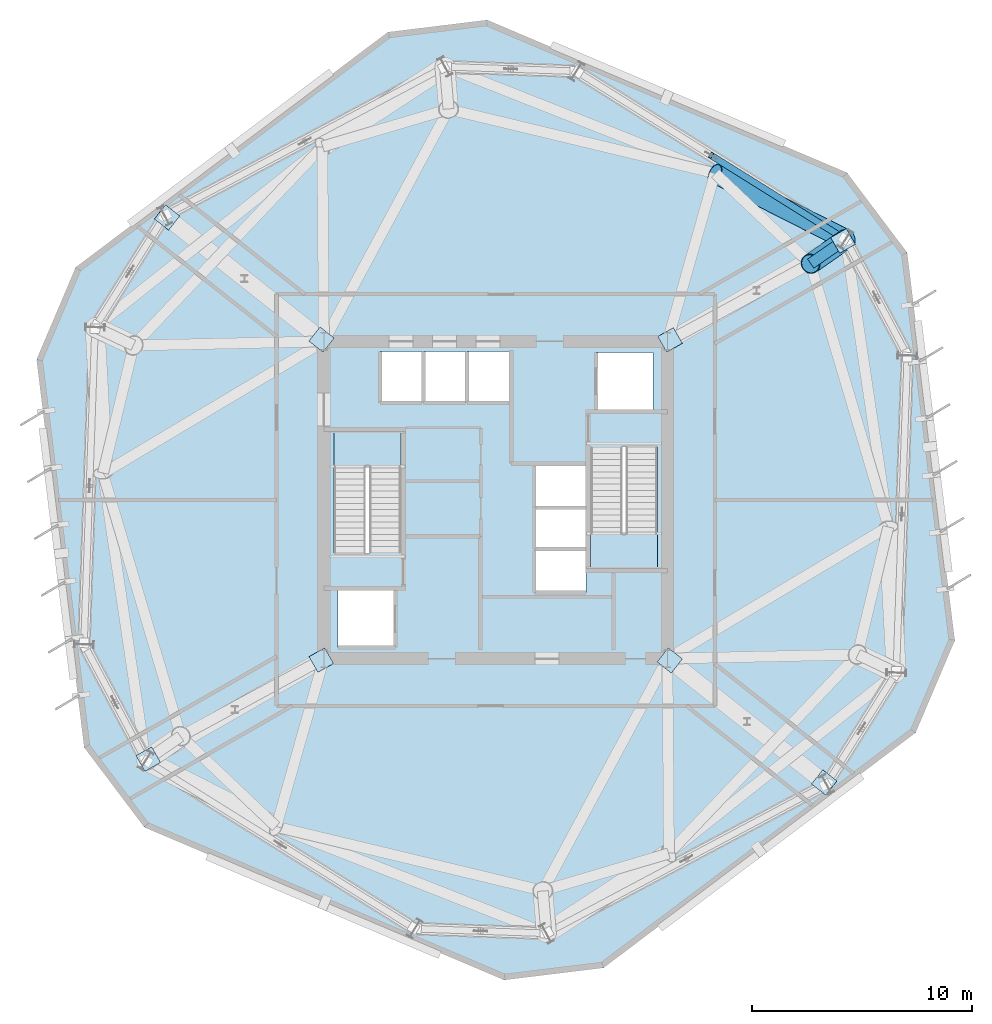
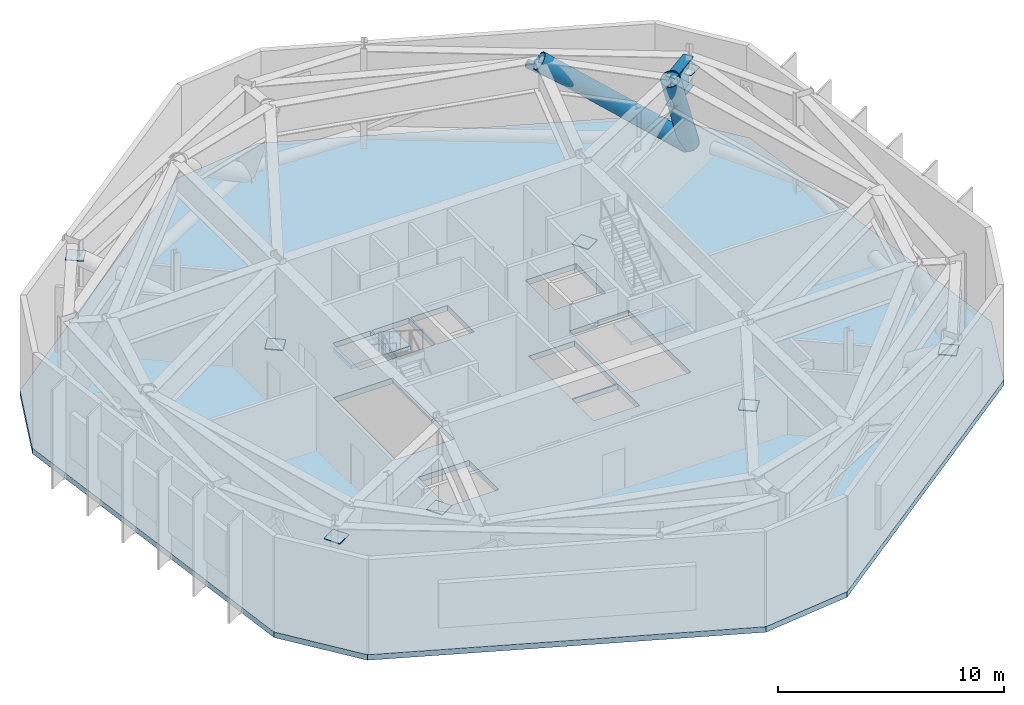
# One storey, part 3 of 11: 8 plates, 3 members, 3 slabs, 1 beam, 2 elements without a shape of their own.
"""IFC4 building model written with IfcOpenShell, lengths in metres."""

from ifc_helpers import new_model, si_unit, direction, frame, origin, origin_2d, place, context, subcontext, project, spatial, polyline, rectangle, hollow_rectangle, hollow_circle, i_section, outline, extrude, material, layer, layer_set, material_profile, profile_set, type_object, element, aggregate, save


model = new_model("IFC4")

# Units and contexts
model_context = context("Model", 3, precision=1e-05, world=origin(), true_north=direction((0.0, 1.0)))
body_context = subcontext(model_context, "Body", "Model", "MODEL_VIEW")
ifc_project = project(units=[si_unit("LENGTHUNIT", "METRE"), si_unit("AREAUNIT", "SQUARE_METRE"), si_unit("VOLUMEUNIT", "CUBIC_METRE"), si_unit("PLANEANGLEUNIT", "RADIAN"), si_unit("MASSUNIT", "GRAM", prefix="KILO")], contexts=[model_context])

# Site, building, storey
site_placement = place(None, origin())
site = spatial("IfcSite", under=ifc_project, at=site_placement, CompositionType="ELEMENT")
building_placement = place(site_placement, origin())
building = spatial("IfcBuilding", under=site, at=building_placement, Name="Kranzbogen Civic Tower", CompositionType="ELEMENT")
storey_placement = place(building_placement, frame((0.0, 0.0, 170.39990234375)))
storey = spatial("IfcBuildingStorey", under=building, at=storey_placement, Name="L41", CompositionType="ELEMENT", Elevation=170.39990234375)

# Members
ifc_material_1 = material(Name="Steel S460", Category="steel")
ifc_material_profile_1 = material_profile(ifc_material_1, hollow_circle(Radius=0.45703125, WallThickness=0.035888671875, at=origin_2d()), Name="CHS 914x36")
ifc_profile_set_1 = profile_set([ifc_material_profile_1], Name="Steel S460")
member_type_1 = type_object("IfcMemberType", Name="Portal Arch Thrust Strut CHS 914x36", PredefinedType="STRUT", material=ifc_profile_set_1)
member_1_placement = place(storey_placement, frame((40.885986328125, 36.8291015625, 0.35009765625), z_axis=(-0.31390354628, -0.217736007734, 0.924151283378), x_axis=(0.569949700686, -0.821679583954, 0.0)))
element("IfcMember", 1, at=member_1_placement, inside=storey, type_object=member_type_1, Name="STR-1: L41 inclined perimeter transfer strut 07", PredefinedType="STRUT", context=body_context, shape_type="SweptSolid", body=[
    extrude(hollow_circle(Radius=0.45703125, WallThickness=0.035888671875, at=origin_2d()), origin(), (0.0, 0.0, 1.0), 5.074951171875),
])
member_2_placement = place(storey_placement, frame((40.885986328125, 36.8291015625, 0.35009765625), z_axis=(-0.728567626996, 0.369612453071, 0.576693894045), x_axis=(-0.452424000668, -0.89180296233, 0.0)))
element("IfcMember", 2, at=member_2_placement, inside=storey, type_object=member_type_1, Name="STR-1: L41 inclined perimeter transfer strut 08", PredefinedType="STRUT", context=body_context, shape_type="SweptSolid", body=[
    extrude(hollow_circle(Radius=0.45703125, WallThickness=0.035888671875, at=origin_2d()), origin(), (0.0, 0.0, 1.0), 8.132568359375),
])

# Beam
ifc_material_profile_2 = material_profile(ifc_material_1, i_section(OverallWidth=0.5, OverallDepth=1.60009765625, WebThickness=0.02587890625, FlangeThickness=0.0400390625, at=origin_2d()), Name="WPG 1600x500x26x40")
ifc_profile_set_2 = profile_set([ifc_material_profile_2], Name="Steel S460")
beam_type = type_object("IfcBeamType", Name="Welded Transfer Girder WPG 1600x500x26x40", PredefinedType="BEAM", material=ifc_profile_set_2)
beam_placement = place(storey_placement, frame((40.844970703125, 36.801025390625, 4.330078125), z_axis=(-0.821708874611, -0.569907470898, 0.0), x_axis=(0.569907470898, -0.821708874611, 0.0)))
element("IfcBeam", 3, at=beam_placement, inside=storey, type_object=beam_type, Name="TG-1600: L41 perimeter column transfer girder 07", PredefinedType="BEAM", context=body_context, shape_type="SweptSolid", body=[
    extrude(i_section(OverallWidth=0.5, OverallDepth=1.60009765625, WebThickness=0.02587890625, FlangeThickness=0.0400390625, at=origin_2d()), origin(), (0.0, 0.0, 1.0), 1.874267578125),
])

# Member
ifc_material_2 = material(Name="Steel S355", Category="steel")
ifc_material_profile_3 = material_profile(ifc_material_2, hollow_rectangle(XDim=0.300048828125, YDim=0.300048828125, WallThickness=0.01611328125, at=origin_2d()), Name="SHS 300x300x16")
ifc_profile_set_3 = profile_set([ifc_material_profile_3], Name="Steel S355")
member_type_2 = type_object("IfcMemberType", Name="Zone 2 Belt Truss Diagonal SHS 300x300x16", PredefinedType="BRACE", material=ifc_profile_set_3)
member_3_placement = place(storey_placement, frame((40.818115234375, 36.87109375, 0.650146484375), z_axis=(-0.746455846987, 0.466565071512, 0.47446886362), x_axis=(-0.53002358355, -0.84798290129, 0.0)))
element("IfcMember", 4, at=member_3_placement, inside=storey, type_object=member_type_2, Name="DG-300: L41 belt truss diagonal 08A", PredefinedType="BRACE", context=body_context, shape_type="SweptSolid", body=[
    extrude(hollow_rectangle(XDim=0.300048828125, YDim=0.300048828125, WallThickness=0.01611328125, at=origin_2d()), origin(), (0.0, 0.0, 1.0), 8.093017578125),
])

# Slab
ifc_material_3 = material(Name="Concrete C40/50", Category="concrete")
ifc_layer_1 = layer(ifc_material_3, 0.300048828125, Name="Concrete C40/50")
ifc_layer_set_1 = layer_set([ifc_layer_1], Name="Concrete C40/50")
slab_type_1 = type_object("IfcSlabType", Name="Composite Transfer and Plant Floor Slab 300 mm", PredefinedType="FLOOR", material=ifc_layer_set_1)
slab_1_placement = place(storey_placement, frame((0.0, 0.0, -0.2998046875)))
element("IfcSlab", 5, at=slab_1_placement, inside=storey, type_object=slab_type_1, Name="L41 tower floor slab", PredefinedType="FLOOR", context=body_context, shape_type="SweptSolid", body=[
    extrude(outline(polyline([(40.9599609375, 39.843994140625), (24.591064453125, 46.7919921875), (20.125, 46.243896484375), (5.923095703125, 35.5419921875), (4.1650390625, 31.39990234375), (6.33203125, 13.75), (9.0400390625, 10.156005859375), (25.408935546875, 3.2080078125), (29.875, 3.756103515625), (44.076904296875, 14.4580078125), (45.8349609375, 18.60009765625), (43.66796875, 36.25), (40.9599609375, 39.843994140625)]), holes=[polyline([(20.449951171875, 20.89990234375), (20.449951171875, 18.300048828125), (17.85009765625, 18.300048828125), (17.85009765625, 20.89990234375), (20.449951171875, 20.89990234375)]), polyline([(29.10009765625, 22.699951171875), (29.10009765625, 20.800048828125), (26.75, 20.800048828125), (26.75, 22.699951171875), (29.10009765625, 22.699951171875)]), polyline([(29.10009765625, 24.64990234375), (29.10009765625, 22.77490234375), (26.75, 22.77490234375), (26.75, 24.64990234375), (26.75, 24.675048828125), (26.75, 26.550048828125), (29.10009765625, 26.550048828125), (29.10009765625, 24.675048828125), (29.10009765625, 24.64990234375)]), polyline([(30.75, 27.340087890625), (30.75, 27.39990234375), (32.35009765625, 27.39990234375), (32.35009765625, 21.89990234375), (29.300048828125, 21.89990234375), (29.300048828125, 27.340087890625), (30.75, 27.340087890625)]), polyline([(19.25, 22.659912109375), (19.25, 22.60009765625), (17.64990234375, 22.60009765625), (17.64990234375, 28.10009765625), (20.699951171875, 28.10009765625), (20.699951171875, 22.659912109375), (19.25, 22.659912109375)]), polyline([(32.14990234375, 31.699951171875), (32.14990234375, 29.10009765625), (29.550048828125, 29.10009765625), (29.550048828125, 31.699951171875), (32.14990234375, 31.699951171875)]), polyline([(21.64990234375, 31.75), (21.64990234375, 29.39990234375), (19.75, 29.39990234375), (19.75, 31.75), (21.64990234375, 31.75)]), polyline([(23.625, 29.39990234375), (21.72509765625, 29.39990234375), (21.72509765625, 31.75), (23.625, 31.75), (23.625, 29.39990234375)]), polyline([(25.60009765625, 29.39990234375), (23.699951171875, 29.39990234375), (23.699951171875, 31.75), (25.60009765625, 31.75), (25.60009765625, 29.39990234375)])]), origin(), (0.0, 0.0, 1.0), 0.2998046875),
])

# Plates
ifc_layer_2 = layer(ifc_material_1, 0.034912109375, Name="Steel S460")
ifc_layer_set_2 = layer_set([ifc_layer_2], Name="Steel S460")
plate_type = type_object("IfcPlateType", Name="Portal Arch Sealed End Cap Plate 1120x1120x35", PredefinedType="SHEET", material=ifc_layer_set_2)
for number, where, z_axis, x_axis, name in (
    (6, (17.083984375, 17.73291015625, 0.52587890625), (0.0, 0.0, 1.0), (-0.867912870313, -0.496716467963, 0.0), "OUT-1: L41 radial outrigger strut 1 end cap 1"),
    (7, (9.22998046875, 13.238037109375, 4.4296875), (0.0, 0.0, 1.0), (-0.867912870313, -0.496716467963, 0.0), "OUT-1: L41 radial outrigger strut 1 end cap 2"),
    (8, (32.905029296875, 17.717041015625, 0.52587890625), (0.0, 0.0, 1.0), (0.784559979031, -0.620052932662, 0.0), "OUT-1: L41 radial outrigger strut 2 end cap 1"),
    (9, (39.91796875, 12.175048828125, 4.4296875), (0.0, 0.0, 1.0), (0.784559979031, -0.620052932662, 0.0), "OUT-1: L41 radial outrigger strut 2 end cap 2"),
    (10, (32.916015625, 32.26708984375, 0.52587890625), (0.0, 0.0, 1.0), (0.867912870313, 0.496716467963, 0.0), "OUT-1: L41 radial outrigger strut 3 end cap 1"),
    (11, (40.77001953125, 36.761962890625, 4.4296875), (0.0, 0.0, 1.0), (0.867912870313, 0.496716467963, 0.0), "OUT-1: L41 radial outrigger strut 3 end cap 2"),
    (12, (17.094970703125, 32.282958984375, 0.52587890625), (0.0, 0.0, 1.0), (-0.784559979031, 0.620052932662, 0.0), "OUT-1: L41 radial outrigger strut 4 end cap 1"),
    (13, (10.08203125, 37.824951171875, 4.4296875), (0.0, 0.0, 1.0), (-0.784559979031, 0.620052932662, 0.0), "OUT-1: L41 radial outrigger strut 4 end cap 2"),
):
    element("IfcPlate", number, at=place(storey_placement, frame(where, z_axis=z_axis, x_axis=x_axis)), inside=storey, type_object=plate_type, Name=name, PredefinedType="SHEET", context=body_context, shape_type="SweptSolid", body=[
        extrude(rectangle(XDim=0.820068359375, YDim=0.820068359375, at=origin_2d()), origin(), (0.0, 0.0, 1.0), 0.034912109375),
    ])

# Stair, slab
ifc_material_4 = material(Name="Precast concrete C40/50", Category="concrete")
stair_type_1 = type_object("IfcStairType", Name="Tower Core Pressurized Dogleg Stair 1450", PredefinedType="HALF_TURN_STAIR", material=ifc_material_4)
stair_1_placement = place(storey_placement, origin())
stair_1 = element("IfcStair", 14, at=stair_1_placement, inside=storey, type_object=stair_type_1, Name="L41 Tower Core Pressurized Stair 1", PredefinedType="HALF_TURN_STAIR")
ifc_layer_3 = layer(ifc_material_4, 0.199951171875, Name="Precast concrete C40/50")
ifc_layer_set_3 = layer_set([ifc_layer_3], Name="Precast concrete C40/50")
slab_type_2 = type_object("IfcSlabType", Name="Precast Concrete Stair Landing Slab 200 mm", PredefinedType="LANDING", material=ifc_layer_set_3)
slab_2_placement = place(storey_placement, frame((0.0, 0.0, 2.5)))
slab_2 = element("IfcSlab", 15, at=slab_2_placement, type_object=slab_type_2, Name="ST-T1 landing 1", PredefinedType="LANDING", context=body_context, shape_type="SweptSolid", body=[
    extrude(outline(polyline([(20.699951171875, 26.52001953125), (20.699951171875, 28.10009765625), (17.64990234375, 28.10009765625), (17.64990234375, 26.52001953125), (20.699951171875, 26.52001953125)])), origin(), (0.0, 0.0, 1.0), 0.2001953125),
])
aggregate(stair_1, [slab_2])

stair_type_2 = type_object("IfcStairType", Name="Tower Core Secondary Dogleg Stair 1450", PredefinedType="HALF_TURN_STAIR", material=ifc_material_4)
stair_2_placement = place(storey_placement, origin())
stair_2 = element("IfcStair", 16, at=stair_2_placement, inside=storey, type_object=stair_type_2, Name="L41 Tower Core Pressurized Stair 2", PredefinedType="HALF_TURN_STAIR")
slab_3_placement = place(storey_placement, frame((0.0, 0.0, 2.5)))
slab_3 = element("IfcSlab", 17, at=slab_3_placement, type_object=slab_type_2, Name="ST-T2 landing 1", PredefinedType="LANDING", context=body_context, shape_type="SweptSolid", body=[
    extrude(outline(polyline([(29.300048828125, 23.47998046875), (29.300048828125, 21.89990234375), (32.35009765625, 21.89990234375), (32.35009765625, 23.47998046875), (29.300048828125, 23.47998046875)])), origin(), (0.0, 0.0, 1.0), 0.2001953125),
])
aggregate(stair_2, [slab_3])

save(model, "model.ifc")
